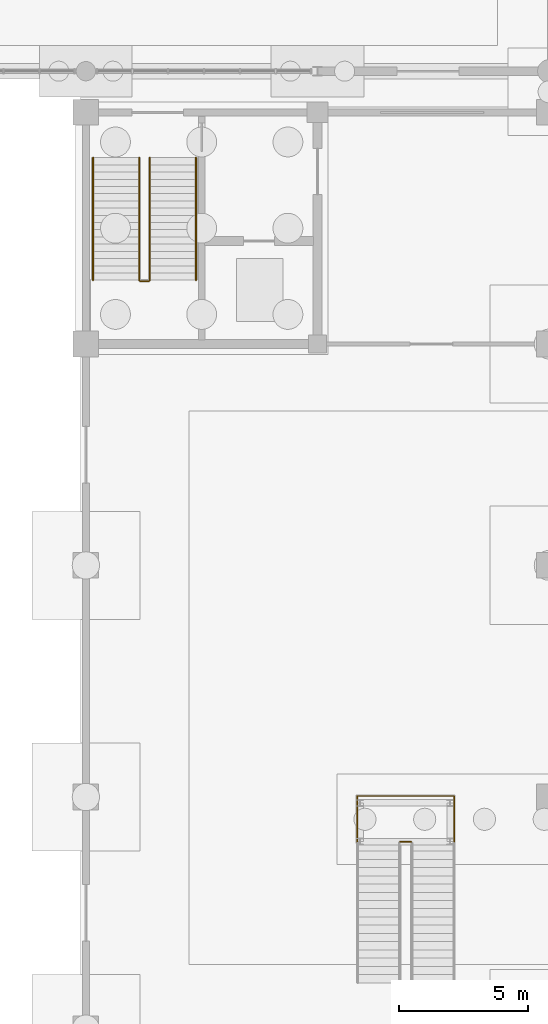
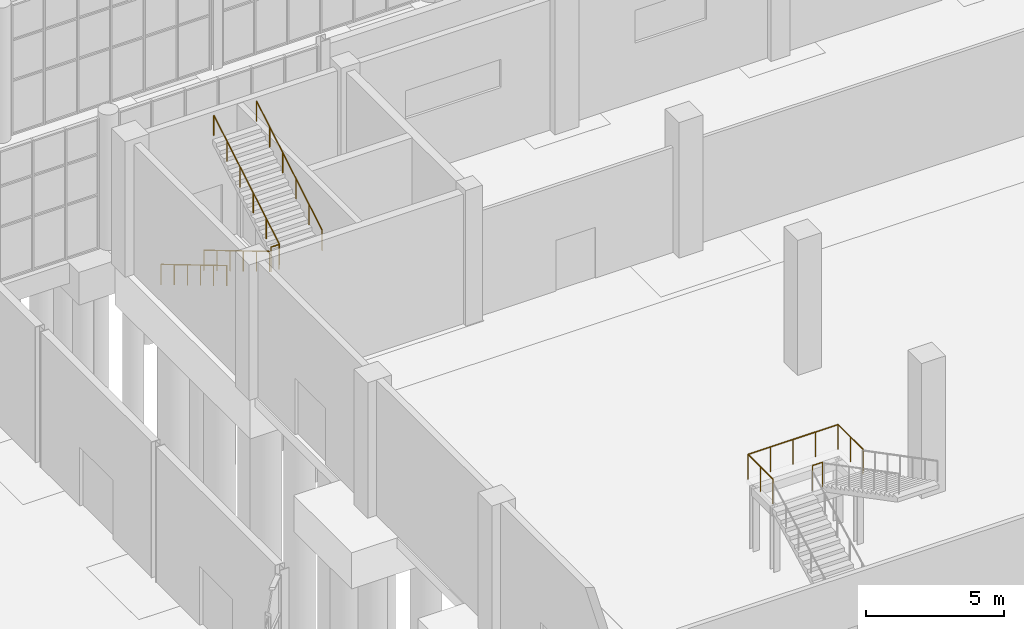
# One storey, part 119 of 131: 7 railings.
"""IFC4 building model written with IfcOpenShell, lengths in metres."""

from ifc_helpers import new_model, si_unit, direction, frame, origin, origin_2d, place, context, subcontext, project, spatial, circle, extrude, material, type_object, element, save


model = new_model("IFC4")

# Units and contexts
model_context = context("Model", 3, precision=1e-05, world=origin(), true_north=direction((0.0, 1.0)))
body_context = subcontext(model_context, "Body", "Model", "MODEL_VIEW")
ifc_project = project(units=[si_unit("LENGTHUNIT", "METRE"), si_unit("AREAUNIT", "SQUARE_METRE"), si_unit("VOLUMEUNIT", "CUBIC_METRE"), si_unit("PLANEANGLEUNIT", "RADIAN"), si_unit("MASSUNIT", "GRAM", prefix="KILO")], contexts=[model_context])

# Site, building, storey
site_placement = place(None, origin())
site = spatial("IfcSite", under=ifc_project, at=site_placement, CompositionType="ELEMENT")
building_placement = place(site_placement, origin())
building = spatial("IfcBuilding", under=site, at=building_placement, Name="Cazmaro Siding Exhibition Halls", CompositionType="ELEMENT")
storey_placement = place(building_placement, origin())
storey = spatial("IfcBuildingStorey", under=building, at=storey_placement, Name="L00", CompositionType="ELEMENT", Elevation=0.0)

# Railings
ifc_material_1 = material(Name="Painted Steel Stairwell Guardrail", Category="steel")
railing_type_1 = type_object("IfcRailingType", Name="RL-GRD-01", PredefinedType="GUARDRAIL", material=ifc_material_1)
railing_1_placement = place(storey_placement, frame((74.10498046875, 47.0400390625, 3.0)))
element("IfcRailing", 1, at=railing_1_placement, inside=storey, type_object=railing_type_1, Name="ST-05 Mid-Landing Slot Guard RL-GRD-01 RL-SG009", PredefinedType="GUARDRAIL", context=body_context, shape_type="SweptSolid", body=[
    extrude(circle(Radius=0.02392578125, at=origin_2d()), frame((0.0, 0.0, 1.09619140625), z_axis=(1.0, 0.0, 0.0), x_axis=(0.0, 1.0, 0.0)), (0.0, 0.0, 1.0), 0.344970703125),
    extrude(circle(Radius=0.02099609375, at=origin_2d()), origin(), (0.0, 0.0, 1.0), 1.072021484375),
    extrude(circle(Radius=0.02099609375, at=origin_2d()), frame((0.344970703125, 0.0, 0.0)), (0.0, 0.0, 1.0), 1.072021484375),
])
railing_2_placement = place(storey_placement, frame((84.215087890625, 25.260009765625, 3.0)))
element("IfcRailing", 2, at=railing_2_placement, inside=storey, type_object=railing_type_1, Name="ST-28 Mid-Landing Slot Guard RL-GRD-01 RL-SG061", PredefinedType="GUARDRAIL", context=body_context, shape_type="SweptSolid", body=[
    extrude(circle(Radius=0.02392578125, at=origin_2d()), frame((0.0, 0.0, 1.09619140625), z_axis=(1.0, 0.0, 0.0), x_axis=(0.0, 1.0, 0.0)), (0.0, 0.0, 1.0), 0.419921875),
    extrude(circle(Radius=0.02099609375, at=origin_2d()), origin(), (0.0, 0.0, 1.0), 1.072021484375),
    extrude(circle(Radius=0.02099609375, at=origin_2d()), frame((0.419921875, 0.0, 0.0)), (0.0, 0.0, 1.0), 1.072021484375),
])
railing_3_placement = place(storey_placement, frame((82.5400390625, 25.239990234375, 3.0)))
element("IfcRailing", 3, at=railing_3_placement, inside=storey, type_object=railing_type_1, Name="ST-28 Mid-Landing Perimeter Guard RL-GRD-01 RL-SG062", PredefinedType="GUARDRAIL", context=body_context, shape_type="SweptSolid", body=[
    extrude(circle(Radius=0.02392578125, at=origin_2d()), frame((0.0, 0.0, 1.09619140625), z_axis=(0.0, 1.0, 0.0), x_axis=(-1.0, 0.0, 0.0)), (0.0, 0.0, 1.0), 1.800048828125),
    extrude(circle(Radius=0.02392578125, at=origin_2d()), frame((0.0, 1.800048828125, 1.09619140625), z_axis=(1.0, 0.0, 0.0), x_axis=(0.0, 1.0, 0.0)), (0.0, 0.0, 1.0), 3.77001953125),
    extrude(circle(Radius=0.02392578125, at=origin_2d()), frame((3.77001953125, 1.800048828125, 1.09619140625), z_axis=(0.0, -1.0, 0.0), x_axis=(1.0, 0.0, 0.0)), (0.0, 0.0, 1.0), 1.800048828125),
    extrude(circle(Radius=0.02099609375, at=origin_2d()), origin(), (0.0, 0.0, 1.0), 1.072021484375),
    extrude(circle(Radius=0.02099609375, at=origin_2d()), frame((0.0, 0.89990234375, 0.0)), (0.0, 0.0, 1.0), 1.072021484375),
    extrude(circle(Radius=0.02099609375, at=origin_2d()), frame((0.0, 1.800048828125, 0.0)), (0.0, 0.0, 1.0), 1.072021484375),
    extrude(circle(Radius=0.02099609375, at=origin_2d()), frame((0.9423828125, 1.800048828125, 0.0)), (0.0, 0.0, 1.0), 1.072021484375),
    extrude(circle(Radius=0.02099609375, at=origin_2d()), frame((1.885009765625, 1.800048828125, 0.0)), (0.0, 0.0, 1.0), 1.072021484375),
    extrude(circle(Radius=0.02099609375, at=origin_2d()), frame((2.82763671875, 1.800048828125, 0.0)), (0.0, 0.0, 1.0), 1.072021484375),
    extrude(circle(Radius=0.02099609375, at=origin_2d()), frame((3.77001953125, 1.800048828125, 0.0)), (0.0, 0.0, 1.0), 1.072021484375),
    extrude(circle(Radius=0.02099609375, at=origin_2d()), frame((3.77001953125, 0.89990234375, 0.0)), (0.0, 0.0, 1.0), 1.072021484375),
    extrude(circle(Radius=0.02099609375, at=origin_2d()), frame((3.77001953125, 0.0, 0.0)), (0.0, 0.0, 1.0), 1.072021484375),
])
ifc_material_2 = material(Name="Brushed Stainless Steel Tubular Handrail", Category="steel")
railing_type_2 = type_object("IfcRailingType", Name="RL-HR-01", PredefinedType="HANDRAIL", material=ifc_material_2)
railing_4_placement = place(storey_placement, frame((72.280029296875, 51.840087890625, 0.1669921875)))
element("IfcRailing", 4, at=railing_4_placement, inside=storey, type_object=railing_type_2, Name="ST-05 Flight 1 Handrail 1", PredefinedType="HANDRAIL", context=body_context, shape_type="SweptSolid", body=[
    extrude(circle(Radius=0.02392578125, at=origin_2d()), frame((0.0, 0.0, 0.89599609375), z_axis=(0.0, -0.859319172962, 0.511439692417), x_axis=(1.0, 0.0, 0.0)), (0.0, 0.0, 1.0), 5.539306640625),
    extrude(circle(Radius=0.02099609375, at=origin_2d()), origin(), (0.0, 0.0, 1.0), 0.871826171875),
    extrude(circle(Radius=0.02099609375, at=origin_2d()), frame((0.0, -0.951904296875, 0.566650390625)), (0.0, 0.0, 1.0), 0.871826171875),
    extrude(circle(Radius=0.02099609375, at=origin_2d()), frame((0.0, -1.904052734375, 1.13330078125)), (0.0, 0.0, 1.0), 0.871826171875),
    extrude(circle(Radius=0.02099609375, at=origin_2d()), frame((0.0, -2.85595703125, 1.69970703125)), (0.0, 0.0, 1.0), 0.871826171875),
    extrude(circle(Radius=0.02099609375, at=origin_2d()), frame((0.0, -3.80810546875, 2.266357421875)), (0.0, 0.0, 1.0), 0.871826171875),
    extrude(circle(Radius=0.02099609375, at=origin_2d()), frame((0.0, -4.760009765625, 2.8330078125)), (0.0, 0.0, 1.0), 0.871826171875),
])
railing_5_placement = place(storey_placement, frame((74.485107421875, 47.080078125, 3.1669921875)))
element("IfcRailing", 5, at=railing_5_placement, inside=storey, type_object=railing_type_2, Name="ST-05 Flight 2 Handrail 1", PredefinedType="HANDRAIL", context=body_context, shape_type="SweptSolid", body=[
    extrude(circle(Radius=0.02392578125, at=origin_2d()), frame((0.0, 0.0, 0.89599609375), z_axis=(0.0, 0.859319172962, 0.511439692417), x_axis=(-1.0, 0.0, 0.0)), (0.0, 0.0, 1.0), 5.539306640625),
    extrude(circle(Radius=0.02099609375, at=origin_2d()), origin(), (0.0, 0.0, 1.0), 0.871826171875),
    extrude(circle(Radius=0.02099609375, at=origin_2d()), frame((0.0, 0.951904296875, 0.566650390625)), (0.0, 0.0, 1.0), 0.871826171875),
    extrude(circle(Radius=0.02099609375, at=origin_2d()), frame((0.0, 1.904052734375, 1.13330078125)), (0.0, 0.0, 1.0), 0.871826171875),
    extrude(circle(Radius=0.02099609375, at=origin_2d()), frame((0.0, 2.85595703125, 1.69970703125)), (0.0, 0.0, 1.0), 0.871826171875),
    extrude(circle(Radius=0.02099609375, at=origin_2d()), frame((0.0, 3.80810546875, 2.266357421875)), (0.0, 0.0, 1.0), 0.871826171875),
    extrude(circle(Radius=0.02099609375, at=origin_2d()), frame((0.0, 4.760009765625, 2.8330078125)), (0.0, 0.0, 1.0), 0.871826171875),
])
railing_6_placement = place(storey_placement, frame((74.070068359375, 51.840087890625, 0.1669921875)))
element("IfcRailing", 6, at=railing_6_placement, inside=storey, type_object=railing_type_2, Name="ST-05 Flight 1 Handrail 2", PredefinedType="HANDRAIL", context=body_context, shape_type="SweptSolid", body=[
    extrude(circle(Radius=0.02392578125, at=origin_2d()), frame((0.0, 0.0, 0.89599609375), z_axis=(0.0, -0.859319172962, 0.511439692417), x_axis=(1.0, 0.0, 0.0)), (0.0, 0.0, 1.0), 5.539306640625),
    extrude(circle(Radius=0.02099609375, at=origin_2d()), origin(), (0.0, 0.0, 1.0), 0.871826171875),
    extrude(circle(Radius=0.02099609375, at=origin_2d()), frame((0.0, -0.951904296875, 0.566650390625)), (0.0, 0.0, 1.0), 0.871826171875),
    extrude(circle(Radius=0.02099609375, at=origin_2d()), frame((0.0, -1.904052734375, 1.13330078125)), (0.0, 0.0, 1.0), 0.871826171875),
    extrude(circle(Radius=0.02099609375, at=origin_2d()), frame((0.0, -2.85595703125, 1.69970703125)), (0.0, 0.0, 1.0), 0.871826171875),
    extrude(circle(Radius=0.02099609375, at=origin_2d()), frame((0.0, -3.80810546875, 2.266357421875)), (0.0, 0.0, 1.0), 0.871826171875),
    extrude(circle(Radius=0.02099609375, at=origin_2d()), frame((0.0, -4.760009765625, 2.8330078125)), (0.0, 0.0, 1.0), 0.871826171875),
])
railing_7_placement = place(storey_placement, frame((76.27490234375, 47.080078125, 3.1669921875)))
element("IfcRailing", 7, at=railing_7_placement, inside=storey, type_object=railing_type_2, Name="ST-05 Flight 2 Handrail 2", PredefinedType="HANDRAIL", context=body_context, shape_type="SweptSolid", body=[
    extrude(circle(Radius=0.02392578125, at=origin_2d()), frame((0.0, 0.0, 0.89599609375), z_axis=(0.0, 0.859319172962, 0.511439692417), x_axis=(-1.0, 0.0, 0.0)), (0.0, 0.0, 1.0), 5.539306640625),
    extrude(circle(Radius=0.02099609375, at=origin_2d()), origin(), (0.0, 0.0, 1.0), 0.871826171875),
    extrude(circle(Radius=0.02099609375, at=origin_2d()), frame((0.0, 0.951904296875, 0.566650390625)), (0.0, 0.0, 1.0), 0.871826171875),
    extrude(circle(Radius=0.02099609375, at=origin_2d()), frame((0.0, 1.904052734375, 1.13330078125)), (0.0, 0.0, 1.0), 0.871826171875),
    extrude(circle(Radius=0.02099609375, at=origin_2d()), frame((0.0, 2.85595703125, 1.69970703125)), (0.0, 0.0, 1.0), 0.871826171875),
    extrude(circle(Radius=0.02099609375, at=origin_2d()), frame((0.0, 3.80810546875, 2.266357421875)), (0.0, 0.0, 1.0), 0.871826171875),
    extrude(circle(Radius=0.02099609375, at=origin_2d()), frame((0.0, 4.760009765625, 2.8330078125)), (0.0, 0.0, 1.0), 0.871826171875),
])

save(model, "model.ifc")
